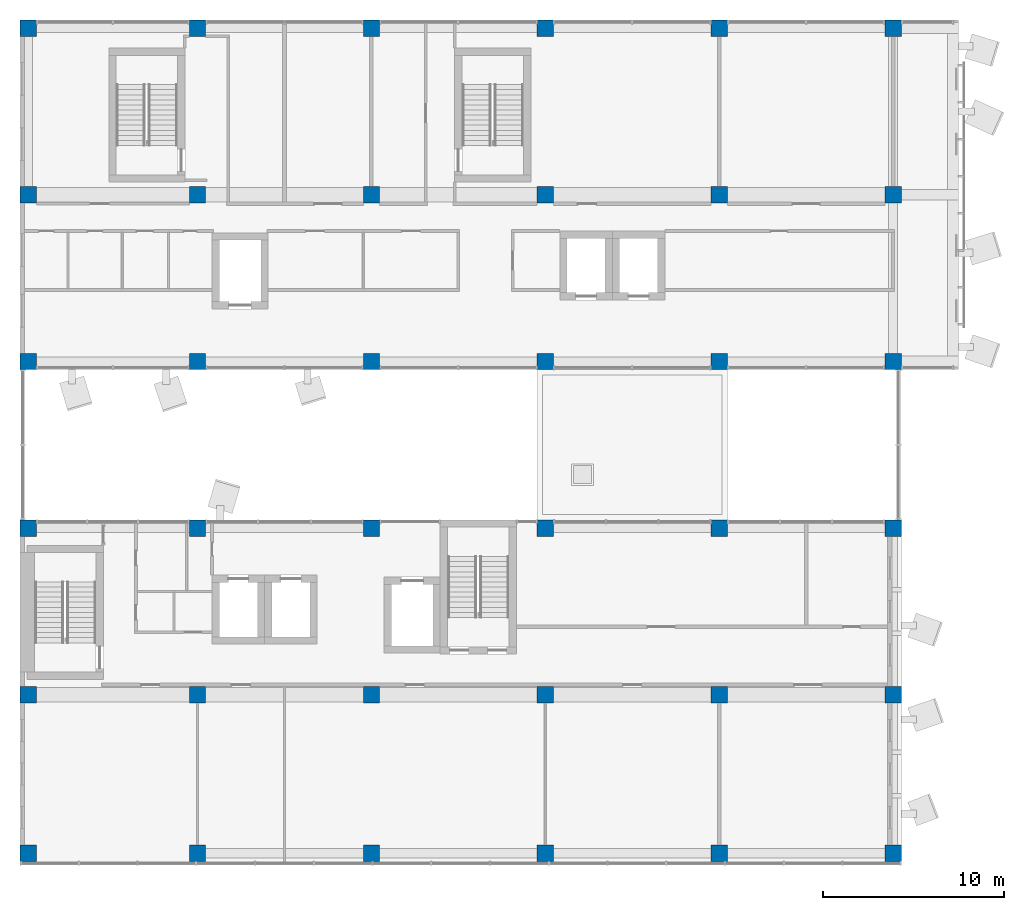
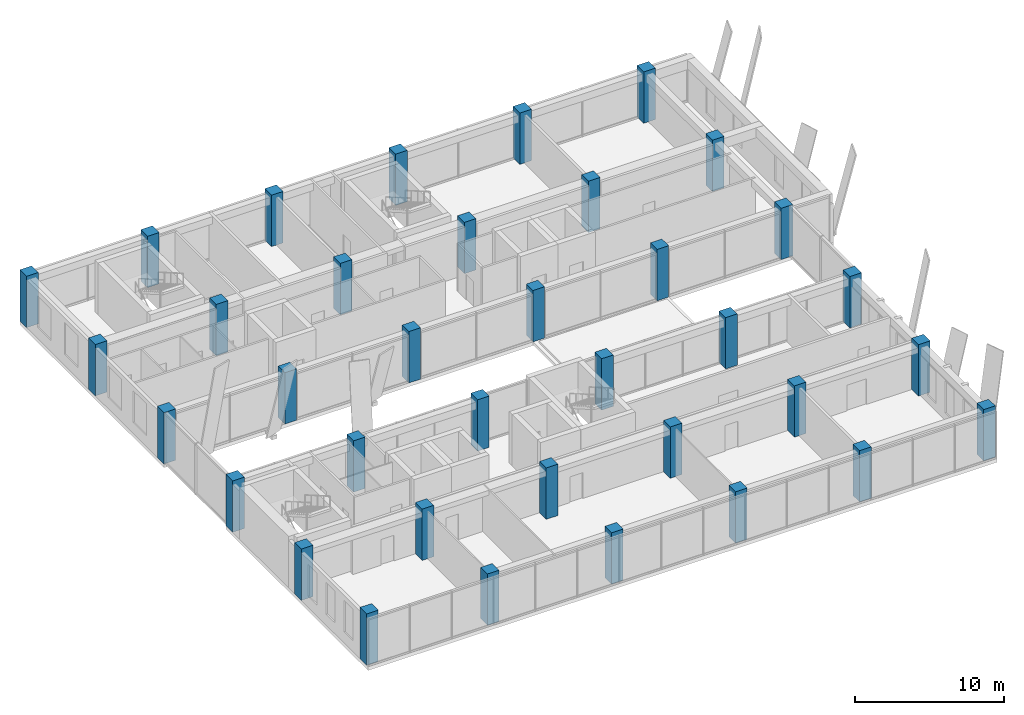
# One storey, part 1 of 38: 36 columns.
"""IFC4 building model written with IfcOpenShell, lengths in metres."""

from ifc_helpers import new_model, si_unit, direction, frame, origin, origin_2d, place, context, subcontext, project, spatial, rectangle, extrude, material, material_profile, profile_set, type_object, element, save


model = new_model("IFC4")

# Units and contexts
model_context = context("Model", 3, precision=1e-05, world=origin(), true_north=direction((0.0, 1.0)))
body_context = subcontext(model_context, "Body", "Model", "MODEL_VIEW")
ifc_project = project(units=[si_unit("LENGTHUNIT", "METRE"), si_unit("AREAUNIT", "SQUARE_METRE"), si_unit("VOLUMEUNIT", "CUBIC_METRE"), si_unit("PLANEANGLEUNIT", "RADIAN"), si_unit("MASSUNIT", "GRAM", prefix="KILO")], contexts=[model_context])

# Site, building, storey
site_placement = place(None, origin())
site = spatial("IfcSite", under=ifc_project, at=site_placement, CompositionType="ELEMENT")
building_placement = place(site_placement, origin())
building = spatial("IfcBuilding", under=site, at=building_placement, Name="Nzadi Deep Aquarium and Research Tower", CompositionType="ELEMENT")
storey_placement = place(building_placement, frame((0.0, 0.0, 52.89990234375)))
storey = spatial("IfcBuildingStorey", under=building, at=storey_placement, Name="L10", CompositionType="ELEMENT", Elevation=52.89990234375)

# Columns
ifc_material = material(Name="Concrete C40/50", Category="concrete")
ifc_material_profile = material_profile(ifc_material, rectangle(XDim=0.89990234375, YDim=0.89990234375, at=origin_2d()))
ifc_profile_set = profile_set([ifc_material_profile], Name="Concrete C40/50")
column_type = type_object("IfcColumnType", Name="RC 900x900", PredefinedType="COLUMN", material=ifc_profile_set)
for number, where, z_axis, x_axis, name in (
    (1, (0.25048828125, 0.449951171875, 0.0), (0.0, 0.0, 1.0), (1.0, 0.0, 0.0), "C-Z1-L10-A1"),
    (2, (9.60009765625, 0.449951171875, 0.0), (0.0, 0.0, 1.0), (1.0, 0.0, 0.0), "C-Z1-L10-B1"),
    (3, (19.199951171875, 0.449951171875, 0.0), (0.0, 0.0, 1.0), (1.0, 0.0, 0.0), "C-Z1-L10-C1"),
    (4, (28.800048828125, 0.449951171875, 0.0), (0.0, 0.0, 1.0), (1.0, 0.0, 0.0), "C-Z1-L10-D1"),
    (5, (38.39990234375, 0.449951171875, 0.0), (0.0, 0.0, 1.0), (1.0, 0.0, 0.0), "C-Z1-L10-E1"),
    (6, (48.0, 0.449951171875, 0.0), (0.0, 0.0, 1.0), (1.0, 0.0, 0.0), "C-Z1-L10-F1"),
    (7, (0.25048828125, 9.199951171875, 0.0), (0.0, 0.0, 1.0), (1.0, 0.0, 0.0), "C-Z1-L10-A2"),
    (8, (9.60009765625, 9.199951171875, 0.0), (0.0, 0.0, 1.0), (1.0, 0.0, 0.0), "C-Z1-L10-B2"),
    (9, (19.199951171875, 9.199951171875, 0.0), (0.0, 0.0, 1.0), (1.0, 0.0, 0.0), "C-Z1-L10-C2"),
    (10, (28.800048828125, 9.199951171875, 0.0), (0.0, 0.0, 1.0), (1.0, 0.0, 0.0), "C-Z1-L10-D2"),
    (11, (38.39990234375, 9.199951171875, 0.0), (0.0, 0.0, 1.0), (1.0, 0.0, 0.0), "C-Z1-L10-E2"),
    (12, (48.0, 9.199951171875, 0.0), (0.0, 0.0, 1.0), (1.0, 0.0, 0.0), "C-Z1-L10-F2"),
    (13, (0.25048828125, 18.39990234375, 0.0), (0.0, 0.0, 1.0), (1.0, 0.0, 0.0), "C-Z1-L10-A3"),
    (14, (9.60009765625, 18.39990234375, 0.0), (0.0, 0.0, 1.0), (1.0, 0.0, 0.0), "C-Z1-L10-B3"),
    (15, (19.199951171875, 18.39990234375, 0.0), (0.0, 0.0, 1.0), (1.0, 0.0, 0.0), "C-Z1-L10-C3"),
    (16, (28.800048828125, 18.39990234375, 0.0), (0.0, 0.0, 1.0), (1.0, 0.0, 0.0), "C-Z1-L10-D3"),
    (17, (38.39990234375, 18.39990234375, 0.0), (0.0, 0.0, 1.0), (1.0, 0.0, 0.0), "C-Z1-L10-E3"),
    (18, (48.0, 18.39990234375, 0.0), (0.0, 0.0, 1.0), (1.0, 0.0, 0.0), "C-Z1-L10-F3"),
    (19, (0.25048828125, 27.60009765625, 0.0), (0.0, 0.0, 1.0), (1.0, 0.0, 0.0), "C-Z1-L10-A4"),
    (20, (9.60009765625, 27.60009765625, 0.0), (0.0, 0.0, 1.0), (1.0, 0.0, 0.0), "C-Z1-L10-B4"),
    (21, (19.199951171875, 27.60009765625, 0.0), (0.0, 0.0, 1.0), (1.0, 0.0, 0.0), "C-Z1-L10-C4"),
    (22, (28.800048828125, 27.60009765625, 0.0), (0.0, 0.0, 1.0), (1.0, 0.0, 0.0), "C-Z1-L10-D4"),
    (23, (38.39990234375, 27.60009765625, 0.0), (0.0, 0.0, 1.0), (1.0, 0.0, 0.0), "C-Z1-L10-E4"),
    (24, (48.0, 27.60009765625, 0.0), (0.0, 0.0, 1.0), (1.0, 0.0, 0.0), "C-Z1-L10-F4"),
    (25, (0.25048828125, 36.800048828125, 0.0), (0.0, 0.0, 1.0), (1.0, 0.0, 0.0), "C-Z1-L10-A5"),
    (26, (9.60009765625, 36.800048828125, 0.0), (0.0, 0.0, 1.0), (1.0, 0.0, 0.0), "C-Z1-L10-B5"),
    (27, (19.199951171875, 36.800048828125, 0.0), (0.0, 0.0, 1.0), (1.0, 0.0, 0.0), "C-Z1-L10-C5"),
    (28, (28.800048828125, 36.800048828125, 0.0), (0.0, 0.0, 1.0), (1.0, 0.0, 0.0), "C-Z1-L10-D5"),
    (29, (38.39990234375, 36.800048828125, 0.0), (0.0, 0.0, 1.0), (1.0, 0.0, 0.0), "C-Z1-L10-E5"),
    (30, (48.0, 36.800048828125, 0.0), (0.0, 0.0, 1.0), (1.0, 0.0, 0.0), "C-Z1-L10-F5"),
    (31, (0.25048828125, 46.0, 0.0), (0.0, 0.0, 1.0), (1.0, 0.0, 0.0), "C-Z1-L10-A6"),
    (32, (9.60009765625, 46.0, 0.0), (0.0, 0.0, 1.0), (1.0, 0.0, 0.0), "C-Z1-L10-B6"),
    (33, (19.199951171875, 46.0, 0.0), (0.0, 0.0, 1.0), (1.0, 0.0, 0.0), "C-Z1-L10-C6"),
    (34, (28.800048828125, 46.0, 0.0), (0.0, 0.0, 1.0), (1.0, 0.0, 0.0), "C-Z1-L10-D6"),
    (35, (38.39990234375, 46.0, 0.0), (0.0, 0.0, 1.0), (1.0, 0.0, 0.0), "C-Z1-L10-E6"),
    (36, (48.0, 46.0, 0.0), (0.0, 0.0, 1.0), (1.0, 0.0, 0.0), "C-Z1-L10-F6"),
):
    element("IfcColumn", number, at=place(storey_placement, frame(where, z_axis=z_axis, x_axis=x_axis)), inside=storey, type_object=column_type, Name=name, PredefinedType="COLUMN", context=body_context, shape_type="SweptSolid", body=[
        extrude(rectangle(XDim=0.89990234375, YDim=0.89990234375, at=origin_2d()), origin(), (0.0, 0.0, 1.0), 4.2001953125),
    ])

save(model, "model.ifc")
